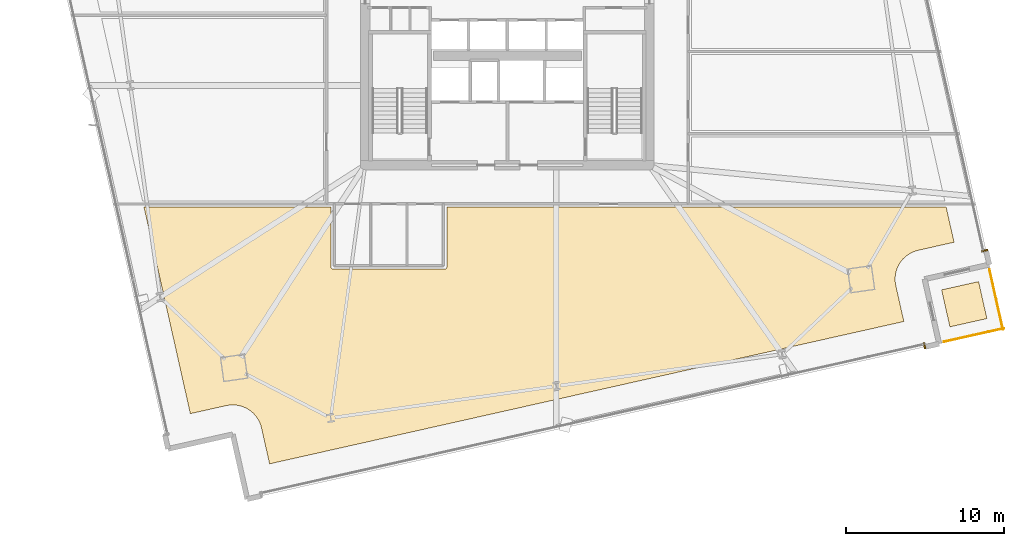
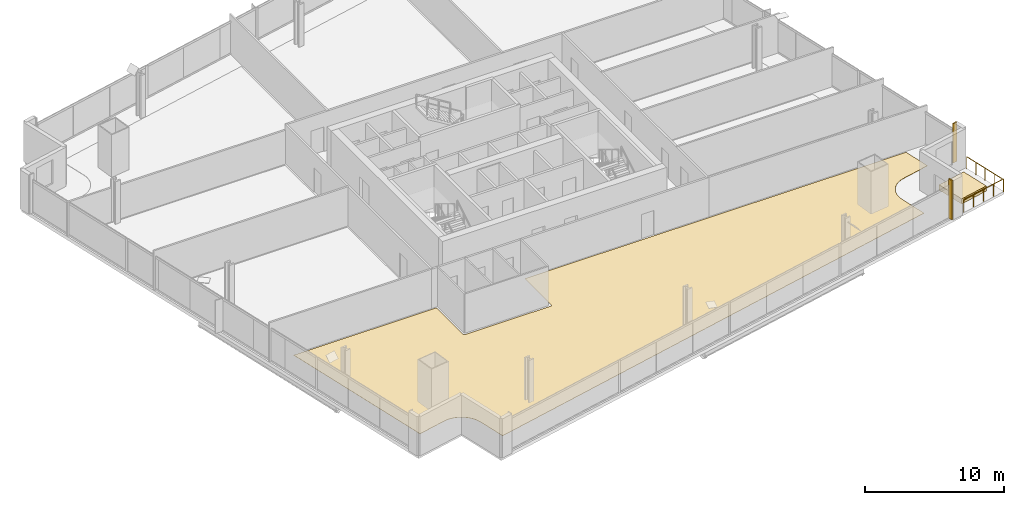
# One storey, part 29 of 32: 4 coverings, 2 railings.
"""IFC4 building model written with IfcOpenShell, lengths in metres."""

from ifc_helpers import new_model, si_unit, direction, frame, origin, origin_2d, place, context, subcontext, project, spatial, polyline, rectangle, outline, extrude, source, transform, mapped, material, layer, layer_set, type_object, element, save


model = new_model("IFC4")

# Units and contexts
model_context = context("Model", 3, precision=1e-05, world=origin(), true_north=direction((0.0, 1.0)))
body_context = subcontext(model_context, "Body", "Model", "MODEL_VIEW")
ifc_project = project(units=[si_unit("LENGTHUNIT", "METRE"), si_unit("AREAUNIT", "SQUARE_METRE"), si_unit("VOLUMEUNIT", "CUBIC_METRE"), si_unit("PLANEANGLEUNIT", "RADIAN"), si_unit("MASSUNIT", "GRAM", prefix="KILO")], contexts=[model_context])

# Site, building, storey
site_placement = place(None, origin())
site = spatial("IfcSite", under=ifc_project, at=site_placement, CompositionType="ELEMENT")
building_placement = place(site_placement, origin())
building = spatial("IfcBuilding", under=site, at=building_placement, Name="Haldenkirk Collegiate Tower", CompositionType="ELEMENT")
storey_placement = place(building_placement, frame((0.0, 0.0, 70.199951171875)))
storey = spatial("IfcBuildingStorey", under=building, at=storey_placement, Name="L16", CompositionType="ELEMENT", Elevation=70.199951171875)

# Coverings
ifc_material_1 = material(Name="Engineered collegiate oak acoustic flooring", Category="wood")
ifc_layer_1 = layer(ifc_material_1, 0.02197265625)
ifc_layer_set_1 = layer_set([ifc_layer_1], Name="Engineered collegiate oak acoustic flooring")
covering_type_1 = type_object("IfcCoveringType", Name="COV-FLOOR-TIMBER", PredefinedType="FLOORING", material=ifc_layer_set_1)
covering_1_placement = place(storey_placement, origin())
element("IfcCovering", 1, at=covering_1_placement, inside=storey, type_object=covering_type_1, Name="L16 academic room finish 01", PredefinedType="FLOORING", context=body_context, shape_type="SweptSolid", body=[
    extrude(outline(polyline([(20.14404296875, 2.031005859375), (20.13720703125, 2.04052734375), (20.031494140625, 2.17578125), (20.023681640625, 2.184814453125), (19.905517578125, 2.30908203125), (19.89697265625, 2.3173828125), (19.766845703125, 2.429443359375), (19.757568359375, 2.436767578125), (19.6171875, 2.53564453125), (19.607421875, 2.5419921875), (19.4580078125, 2.626708984375), (19.447265625, 2.632080078125), (19.290283203125, 2.70166015625), (19.279296875, 2.705810546875), (19.1162109375, 2.759765625), (19.10498046875, 2.762939453125), (18.9375, 2.800537109375), (18.92578125, 2.802490234375), (18.75537109375, 2.823486328125), (18.74365234375, 2.824462890625), (18.572021484375, 2.82861328125), (18.56005859375, 2.828369140625), (18.388916015625, 2.81591796875), (18.377197265625, 2.814208984375), (18.2080078125, 2.784912109375), (18.2021484375, 2.78369140625), (15.9287109375, 2.273681640625), (12.993896484375, 15.35009765625), (24.830078125, 15.35009765625), (24.830078125, 11.550048828125), (24.83056640625, 11.5380859375), (24.832275390625, 11.526611328125), (24.835205078125, 11.51513671875), (24.839111328125, 11.504150390625), (24.84423828125, 11.493408203125), (24.85009765625, 11.4833984375), (24.857177734375, 11.473876953125), (24.864990234375, 11.465087890625), (24.873779296875, 11.457275390625), (24.88330078125, 11.4501953125), (24.893310546875, 11.444091796875), (24.904052734375, 11.439208984375), (24.915283203125, 11.435302734375), (24.926513671875, 11.432373046875), (24.938232421875, 11.4306640625), (24.949951171875, 11.429931640625), (32.050048828125, 11.429931640625), (32.061767578125, 11.4306640625), (32.073486328125, 11.432373046875), (32.084716796875, 11.435302734375), (32.095947265625, 11.439208984375), (32.106689453125, 11.444091796875), (32.11669921875, 11.4501953125), (32.126220703125, 11.457275390625), (32.135009765625, 11.465087890625), (32.142822265625, 11.473876953125), (32.14990234375, 11.4833984375), (32.15576171875, 11.493408203125), (32.160888671875, 11.504150390625), (32.164794921875, 11.51513671875), (32.167724609375, 11.526611328125), (32.16943359375, 11.5380859375), (32.169921875, 11.550048828125), (32.169921875, 15.35009765625), (63.786865234375, 15.35009765625), (64.28564453125, 13.126953125), (62.01220703125, 12.61669921875), (62.006591796875, 12.615234375), (61.841064453125, 12.569580078125), (61.829833984375, 12.56591796875), (61.669677734375, 12.50390625), (61.658935546875, 12.499267578125), (61.505615234375, 12.422119140625), (61.4951171875, 12.416259765625), (61.35009765625, 12.324462890625), (61.340576171875, 12.317626953125), (61.205078125, 12.2119140625), (61.1962890625, 12.2041015625), (61.07177734375, 12.085693359375), (61.063720703125, 12.077392578125), (60.951416015625, 11.947265625), (60.944091796875, 11.93798828125), (60.84521484375, 11.797607421875), (60.839111328125, 11.78759765625), (60.75439453125, 11.63818359375), (60.7490234375, 11.627685546875), (60.679443359375, 11.470703125), (60.67529296875, 11.459716796875), (60.621337890625, 11.296630859375), (60.6181640625, 11.285400390625), (60.58056640625, 11.117919921875), (60.57861328125, 11.106201171875), (60.5576171875, 10.935791015625), (60.556640625, 10.924072265625), (60.55224609375, 10.752197265625), (60.552490234375, 10.740478515625), (60.565185546875, 10.5693359375), (60.566650390625, 10.5576171875), (60.59619140625, 10.388427734375), (60.59716796875, 10.382568359375), (61.107421875, 8.109130859375), (20.946533203125, -0.904541015625), (20.436279296875, 1.368896484375), (20.434814453125, 1.37451171875), (20.38916015625, 1.5400390625), (20.385498046875, 1.55126953125), (20.323486328125, 1.71142578125), (20.31884765625, 1.72216796875), (20.24169921875, 1.87548828125), (20.23583984375, 1.8857421875), (20.14404296875, 2.031005859375)])), origin(), (0.0, 0.0, 1.0), 0.02197265625),
])
ifc_material_2 = material(Name="Precast concrete f'c 40 MPa", Category="concrete")
ifc_layer_2 = layer(ifc_material_2, 0.449951171875)
ifc_layer_set_2 = layer_set([ifc_layer_2], Name="Precast concrete f'c 40 MPa")
covering_type_2 = type_object("IfcCoveringType", Name="COV-PLANTER-450", PredefinedType="USERDEFINED", material=ifc_layer_set_2)
covering_2_placement = place(storey_placement, origin())
element("IfcCovering", 2, at=covering_2_placement, inside=storey, type_object=covering_type_2, Name="L16 planted garden planter bed", ObjectType="PLANTER", PredefinedType="USERDEFINED", context=body_context, shape_type="SweptSolid", body=[
    extrude(outline(polyline([(64.022705078125, 7.769287109375), (63.4970703125, 10.111083984375), (65.8388671875, 10.63671875), (66.364501953125, 8.294921875), (64.022705078125, 7.769287109375)])), origin(), (0.0, 0.0, 1.0), 0.449951171875),
])

# Railings
ifc_material_3 = material(Name="Anodised architectural bronze aluminium", Category="aluminium")
railing_type = type_object("IfcRailingType", Name="RLG-TERR-BALUSTRADE-1100", PredefinedType="BALUSTRADE", material=ifc_material_3)
railing_1_placement = place(storey_placement, frame((63.640625, 6.822509765625, 0.0)))
element("IfcRailing", 3, at=railing_1_placement, inside=storey, type_object=railing_type, Name="L16 terrace guard balustrade 1-1", PredefinedType="BALUSTRADE", context=body_context, shape_type="SweptSolid", body=[
    extrude(rectangle(XDim=0.048095703125, YDim=0.048095703125, at=origin_2d()), frame((0.0, 0.0, 1.076171875), z_axis=(0.975718447549, 0.219028562321, 0.0), x_axis=(-0.219028562321, 0.975718447549, 0.0)), (0.0, 0.0, 1.0), 3.880126953125),
    extrude(rectangle(XDim=0.0419921875, YDim=0.0419921875, at=origin_2d()), origin(), (0.0, 0.0, 1.0), 1.052001953125),
    extrude(rectangle(XDim=0.0419921875, YDim=0.0419921875, at=origin_2d()), frame((0.946533203125, 0.21240234375, 0.0)), (0.0, 0.0, 1.0), 1.052001953125),
    extrude(rectangle(XDim=0.0419921875, YDim=0.0419921875, at=origin_2d()), frame((1.89306640625, 0.4248046875, 0.0)), (0.0, 0.0, 1.0), 1.052001953125),
    extrude(rectangle(XDim=0.0419921875, YDim=0.0419921875, at=origin_2d()), frame((2.83935546875, 0.637451171875, 0.0)), (0.0, 0.0, 1.0), 1.052001953125),
    extrude(rectangle(XDim=0.0419921875, YDim=0.0419921875, at=origin_2d()), frame((3.785888671875, 0.849853515625, 0.0)), (0.0, 0.0, 1.0), 1.052001953125),
])
railing_2_placement = place(storey_placement, frame((67.381103515625, 7.6005859375, 0.0)))
element("IfcRailing", 4, at=railing_2_placement, inside=storey, type_object=railing_type, Name="L16 terrace guard balustrade 2-1", PredefinedType="BALUSTRADE", context=body_context, shape_type="SweptSolid", body=[
    extrude(rectangle(XDim=0.048095703125, YDim=0.048095703125, at=origin_2d()), frame((0.0, 0.0, 1.076171875), z_axis=(-0.218968658471, 0.97573189279, 0.0), x_axis=(-0.97573189279, -0.218968658471, 0.0)), (0.0, 0.0, 1.0), 3.880126953125),
    extrude(rectangle(XDim=0.0419921875, YDim=0.0419921875, at=origin_2d()), origin(), (0.0, 0.0, 1.0), 1.052001953125),
    extrude(rectangle(XDim=0.0419921875, YDim=0.0419921875, at=origin_2d()), frame((-0.21240234375, 0.946533203125, 0.0)), (0.0, 0.0, 1.0), 1.052001953125),
    extrude(rectangle(XDim=0.0419921875, YDim=0.0419921875, at=origin_2d()), frame((-0.4248046875, 1.89306640625, 0.0)), (0.0, 0.0, 1.0), 1.052001953125),
    extrude(rectangle(XDim=0.0419921875, YDim=0.0419921875, at=origin_2d()), frame((-0.63720703125, 2.83935546875, 0.0)), (0.0, 0.0, 1.0), 1.052001953125),
    extrude(rectangle(XDim=0.0419921875, YDim=0.0419921875, at=origin_2d()), frame((-0.849609375, 3.785888671875, 0.0)), (0.0, 0.0, 1.0), 1.052001953125),
])

# Coverings
ifc_layer_3 = layer(ifc_material_3, 0.06005859375)
ifc_layer_set_3 = layer_set([ifc_layer_3], Name="Anodised architectural bronze aluminium")
covering_type_3 = type_object("IfcCoveringType", Name="COV-CLAD-BRONZE-60", PredefinedType="CLADDING", material=ifc_layer_set_3)
shared_shape = source(origin(), body_context, "Body", "SweptSolid", [
    extrude(rectangle(XDim=0.10009765625, YDim=0.3798828125, at=origin_2d()), origin(), (0.0, 0.0, 1.0), 3.43994140625),
])
for number, where, z_axis, x_axis, name in (
    (5, (62.414306640625, 6.578125, 0.0), (0.0, 0.0, 1.0), (-0.975726024471, -0.218994806262, 0.0), "L16 recessed curtain-wall bronze jamb closure SJL"),
    (6, (66.228515625, 12.599609375, 0.0), (0.0, 0.0, 1.0), (0.218994806262, -0.975726024471, 0.0), "L16 recessed curtain-wall bronze jamb closure EJR"),
):
    element("IfcCovering", number, at=place(storey_placement, frame(where, z_axis=z_axis, x_axis=x_axis)), inside=storey, type_object=covering_type_3, Name=name, PredefinedType="CLADDING", context=body_context, shape_type="MappedRepresentation", body=[
        mapped(shared_shape, transform((0.0, 0.0, 0.0), x_axis=(1.0, 0.0, 0.0), y_axis=(0.0, 1.0, 0.0), z_axis=(0.0, 0.0, 1.0), scale=1.0)),
    ])

save(model, "model.ifc")
